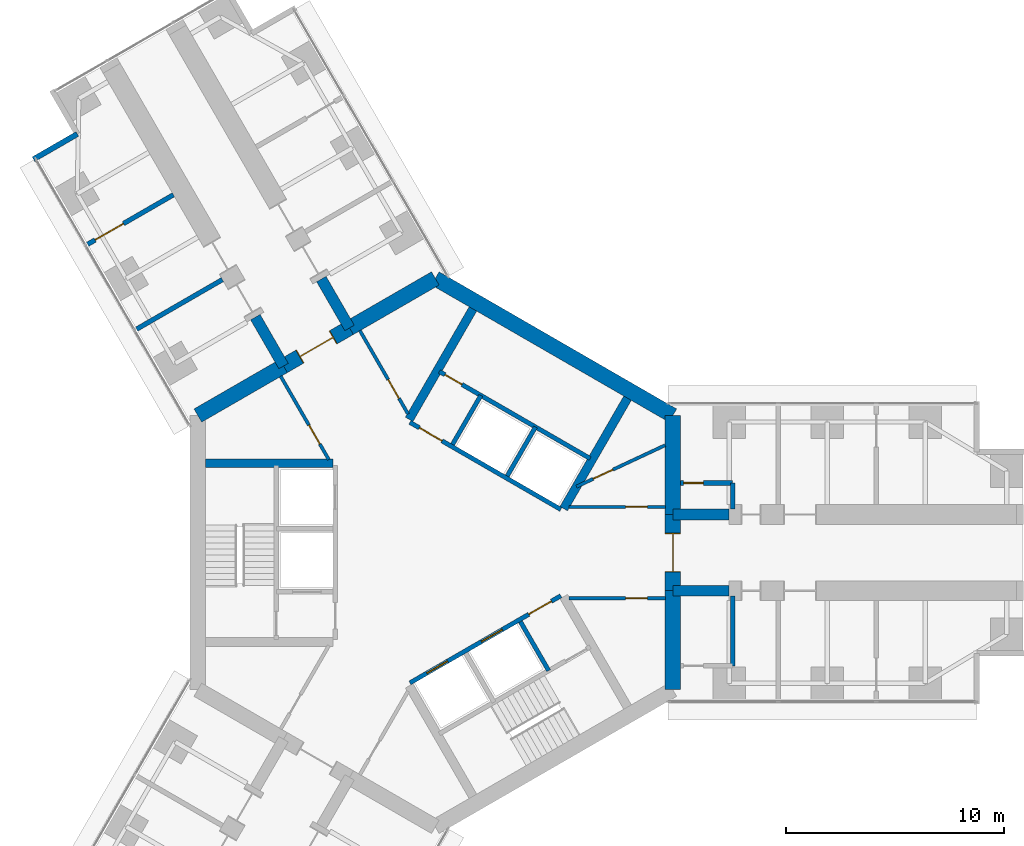
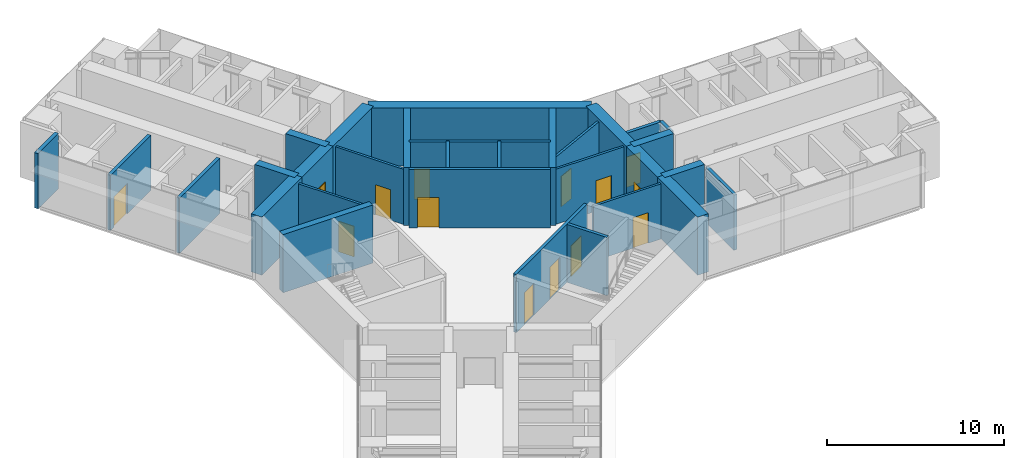
# One storey, part 17 of 22: 31 walls, 14 doors, 14 openings.
"""IFC4 building model written with IfcOpenShell, lengths in metres."""

from ifc_helpers import new_model, si_unit, direction, frame, frame_2d, origin, place, context, subcontext, project, spatial, rectangle, extrude, material, layer, layer_set, type_object, element, fill, save


model = new_model("IFC4")

# Units and contexts
model_context = context("Model", 3, precision=1e-05, world=origin(), true_north=direction((0.0, 1.0)))
body_context = subcontext(model_context, "Body", "Model", "MODEL_VIEW")
ifc_project = project(units=[si_unit("LENGTHUNIT", "METRE"), si_unit("AREAUNIT", "SQUARE_METRE"), si_unit("VOLUMEUNIT", "CUBIC_METRE"), si_unit("PLANEANGLEUNIT", "RADIAN"), si_unit("MASSUNIT", "GRAM", prefix="KILO")], contexts=[model_context])

# Site, building, storey
site_placement = place(None, origin())
site = spatial("IfcSite", under=ifc_project, at=site_placement, CompositionType="ELEMENT")
building_placement = place(site_placement, origin())
building = spatial("IfcBuilding", under=site, at=building_placement, Name="Upepo Twin Towers", CompositionType="ELEMENT")
storey_placement = place(building_placement, frame((0.0, 0.0, 40.5)))
storey = spatial("IfcBuildingStorey", under=building, at=storey_placement, Name="L09", CompositionType="ELEMENT", Elevation=40.5)

# Wall, opening, door
ifc_material_1 = material(Name="Concrete blockwork, plastered both faces", Category="masonry")
ifc_layer_1 = layer(ifc_material_1, 0.215087890625)
ifc_layer_set_1 = layer_set([ifc_layer_1], Name="Blockwork partition 215")
wall_type_1 = type_object("IfcWallType", Name="Blockwork partition 215", PredefinedType="PARTITIONING", material=ifc_layer_set_1)
wall_1_placement = place(storey_placement, frame((11.258056640625, 3.199951171875, 0.0), z_axis=(0.0, 0.0, 1.0), x_axis=(1.0, 0.0, 0.0)))
wall_1 = element("IfcWall", 1, at=wall_1_placement, inside=storey, type_object=wall_type_1, Name="T1 WC bay partition AL at 11.26", PredefinedType="PARTITIONING", context=body_context, shape_type="SweptSolid", body=[
    extrude(rectangle(XDim=2.39990234375, YDim=0.215087890625, at=frame_2d((1.199951171875, 0.0))), origin(), (0.0, 0.0, 1.0), 3.800048828125),
])
opening_1_placement = place(wall_1_placement, frame((0.14990234375, 0.0, 0.0)))
opening_1 = element("IfcOpeningElement", 2, at=opening_1_placement, cuts=wall_1, Name="Opening D14", PredefinedType="OPENING", context=body_context, shape_type="SweptSolid", body=[
    extrude(rectangle(XDim=0.89990234375, YDim=2.10009765625, at=frame_2d((0.449951171875, 1.050048828125))), frame((0.0, 0.117431640625, 0.0), z_axis=(0.0, -1.0, 0.0), x_axis=(1.0, 0.0, 0.0)), (0.0, 0.0, 1.0), 0.235107421875),
])
ifc_material_2 = material(Name="Timber doorset", Category="wood")
door_type_1 = type_object("IfcDoorType", Name="Office door 900 FD30", OperationType="SINGLE_SWING_LEFT", PredefinedType="DOOR", material=ifc_material_2)
door_1_placement = place(opening_1_placement, origin())
door_1 = element("IfcDoor", 3, at=door_1_placement, inside=storey, type_object=door_type_1, Name="T1 L09 WC bay inner room door", OperationType="SINGLE_SWING_LEFT", OverallHeight=2.10009765625, OverallWidth=0.89990234375, PredefinedType="DOOR", context=body_context, shape_type="SweptSolid", body=[
    extrude(rectangle(XDim=0.89990234375, YDim=2.10009765625, at=frame_2d((0.449951171875, 1.050048828125))), frame((0.0, 0.02490234375, 0.0), z_axis=(0.0, -1.0, 0.0), x_axis=(1.0, 0.0, 0.0)), (0.0, 0.0, 1.0), 0.050048828125),
])
fill(opening_1, door_1)

# Walls
wall_2_placement = place(storey_placement, frame((13.657958984375, 2.0, 0.0), z_axis=(0.0, 0.0, 1.0), x_axis=(0.0, 1.0, 0.0)))
element("IfcWall", 4, at=wall_2_placement, inside=storey, type_object=wall_type_1, Name="T1 WC bay partition AL end at 13.66", PredefinedType="PARTITIONING", context=body_context, shape_type="SweptSolid", body=[
    extrude(rectangle(XDim=1.199951171875, YDim=0.215087890625, at=frame_2d((0.60009765625, 0.0))), origin(), (0.0, 0.0, 1.0), 3.800048828125),
])
wall_3_placement = place(storey_placement, frame((13.657958984375, -2.0, 0.0), z_axis=(0.0, 0.0, 1.0), x_axis=(0.0, -1.0, 0.0)))
element("IfcWall", 5, at=wall_3_placement, inside=storey, type_object=wall_type_1, Name="T1 WC bay partition AR end at 13.66", PredefinedType="PARTITIONING", context=body_context, shape_type="SweptSolid", body=[
    extrude(rectangle(XDim=3.199951171875, YDim=0.215087890625, at=frame_2d((1.60009765625, 0.0))), origin(), (0.0, 0.0, 1.0), 3.800048828125),
])
wall_4_placement = place(storey_placement, frame((-9.7802734375, 12.539794921875, 0.0), z_axis=(0.0, 0.0, 1.0), x_axis=(-0.866035472144, -0.499982560684, 0.0)))
element("IfcWall", 6, at=wall_4_placement, inside=storey, type_object=wall_type_1, Name="T1 partition BL at 15.75", PredefinedType="PARTITIONING", context=body_context, shape_type="SweptSolid", body=[
    extrude(rectangle(XDim=4.550048828125, YDim=0.215087890625, at=frame_2d((2.27490234375, 0.0))), origin(), (0.0, 0.0, 1.0), 3.800048828125),
])

# Wall, opening, door
wall_5_placement = place(storey_placement, frame((-12.0302734375, 16.43701171875, 0.0), z_axis=(0.0, 0.0, 1.0), x_axis=(-0.866035472144, -0.499982560684, 0.0)))
wall_5 = element("IfcWall", 7, at=wall_5_placement, inside=storey, type_object=wall_type_1, Name="T1 partition BL at 20.25", PredefinedType="PARTITIONING", context=body_context, shape_type="SweptSolid", body=[
    extrude(rectangle(XDim=4.550048828125, YDim=0.215087890625, at=frame_2d((2.27490234375, 0.0))), origin(), (0.0, 0.0, 1.0), 3.800048828125),
])
opening_2_placement = place(wall_5_placement, frame((2.64990234375, 0.0, 0.0)))
opening_2 = element("IfcOpeningElement", 8, at=opening_2_placement, cuts=wall_5, Name="Opening D13", PredefinedType="OPENING", context=body_context, shape_type="SweptSolid", body=[
    extrude(rectangle(XDim=1.5, YDim=2.10009765625, at=frame_2d((0.75, 1.050048828125))), frame((0.0, 0.117431640625, 0.0), z_axis=(0.0, -1.0, 0.0), x_axis=(1.0, 0.0, 0.0)), (0.0, 0.0, 1.0), 0.235107421875),
])
ifc_material_3 = material(Name="Timber doorset", Category="wood")
door_type_2 = type_object("IfcDoorType", Name="Double door 1500 FD30", OperationType="DOUBLE_DOOR_SINGLE_SWING", PredefinedType="DOOR", material=ifc_material_3)
door_2_placement = place(opening_2_placement, origin())
door_2 = element("IfcDoor", 9, at=door_2_placement, inside=storey, type_object=door_type_2, Name="T1 L09 connecting door", OperationType="DOUBLE_DOOR_SINGLE_SWING", OverallHeight=2.10009765625, OverallWidth=1.5, PredefinedType="DOOR", context=body_context, shape_type="SweptSolid", body=[
    extrude(rectangle(XDim=1.5, YDim=2.10009765625, at=frame_2d((0.75, 1.050048828125))), frame((0.0, 0.02490234375, 0.0), z_axis=(0.0, -1.0, 0.0), x_axis=(1.0, 0.0, 0.0)), (0.0, 0.0, 1.0), 0.050048828125),
])
fill(opening_2, door_2)

# Walls
ifc_material_4 = material(Name="Concrete C60/75", Category="concrete")
ifc_layer_2 = layer(ifc_material_4, 0.5)
ifc_layer_set_2 = layer_set([ifc_layer_2], Name="Concrete C60/75")
wall_type_2 = type_object("IfcWallType", Name="Buttress wall 500 RC", PredefinedType="SHEAR", material=ifc_layer_set_2)
for number, where, z_axis, x_axis, name in (
    (10, (10.908447265625, 1.75, 0.0), (0.0, 0.0, 1.0), (1.0, 0.0, 0.0), "T1 wing A buttress wall L"),
    (11, (10.908447265625, -1.75, 0.0), (0.0, 0.0, 1.0), (1.0, 0.0, 0.0), "T1 wing A buttress wall R"),
):
    element("IfcWall", number, at=place(storey_placement, frame(where, z_axis=z_axis, x_axis=x_axis)), inside=storey, type_object=wall_type_2, Name=name, PredefinedType="SHEAR", context=body_context, shape_type="SweptSolid", body=[
        extrude(rectangle(XDim=2.591552734375, YDim=0.5, at=frame_2d((1.2958984375, 0.0))), origin(), (0.0, 0.0, 1.0), 4.0),
    ])
for number, where, z_axis, x_axis, name in (
    (12, (-6.9697265625, 8.57177734375, 0.0), (0.0, 0.0, 1.0), (-0.499988811324, 0.866031863473, 0.0), "T1 wing B buttress wall L"),
    (13, (-3.938720703125, 10.32177734375, 0.0), (0.0, 0.0, 1.0), (-0.499918158782, 0.866072649678, 0.0), "T1 wing B buttress wall R"),
):
    element("IfcWall", number, at=place(storey_placement, frame(where, z_axis=z_axis, x_axis=x_axis)), inside=storey, type_object=wall_type_2, Name=name, PredefinedType="SHEAR", context=body_context, shape_type="SweptSolid", body=[
        extrude(rectangle(XDim=2.591796875, YDim=0.5, at=frame_2d((1.2958984375, 0.0))), origin(), (0.0, 0.0, 1.0), 4.0),
    ])
ifc_material_5 = material(Name="Concrete C60/75", Category="concrete")
ifc_layer_3 = layer(ifc_material_5, 0.699951171875)
ifc_layer_set_3 = layer_set([ifc_layer_3], Name="Concrete C60/75")
wall_type_3 = type_object("IfcWallType", Name="Core wall 700 RC", PredefinedType="SHEAR", material=ifc_layer_set_3)
wall_6_placement = place(storey_placement, frame((10.908447265625, -6.2978515625, 0.0), z_axis=(0.0, 0.0, 1.0), x_axis=(0.0, 1.0, 0.0)))
element("IfcWall", 14, at=wall_6_placement, inside=storey, type_object=wall_type_3, Name="T1 core wall 000 R", PredefinedType="SHEAR", context=body_context, shape_type="SweptSolid", body=[
    extrude(rectangle(XDim=4.5478515625, YDim=0.699951171875, at=frame_2d((2.27392578125, 0.0))), origin(), (0.0, 0.0, 1.0), 4.0),
])

# Wall, opening, door
wall_7_placement = place(storey_placement, frame((10.908447265625, -1.75, 0.0), z_axis=(0.0, 0.0, 1.0), x_axis=(0.0, 1.0, 0.0)))
wall_7 = element("IfcWall", 15, at=wall_7_placement, inside=storey, type_object=wall_type_3, Name="T1 core wall 000", PredefinedType="SHEAR", context=body_context, shape_type="SweptSolid", body=[
    extrude(rectangle(XDim=3.5, YDim=0.699951171875, at=frame_2d((1.75, 0.0))), origin(), (0.0, 0.0, 1.0), 4.0),
])
opening_3_placement = place(wall_7_placement, frame((0.85009765625, 0.0, 0.0)))
opening_3 = element("IfcOpeningElement", 16, at=opening_3_placement, cuts=wall_7, Name="Opening D2", PredefinedType="OPENING", context=body_context, shape_type="SweptSolid", body=[
    extrude(rectangle(XDim=1.800048828125, YDim=2.10009765625, at=frame_2d((0.89990234375, 1.050048828125))), frame((0.0, 0.35986328125, 0.0), z_axis=(0.0, -1.0, 0.0), x_axis=(1.0, 0.0, 0.0)), (0.0, 0.0, 1.0), 0.719970703125),
])
ifc_material_6 = material(Name="Timber doorset", Category="wood")
door_type_3 = type_object("IfcDoorType", Name="Corridor double door 1800 FD60", OperationType="DOUBLE_DOOR_DOUBLE_SWING", PredefinedType="DOOR", material=ifc_material_6)
door_3_placement = place(opening_3_placement, origin())
door_3 = element("IfcDoor", 17, at=door_3_placement, inside=storey, type_object=door_type_3, Name="T1 L09 wing A corridor door", OperationType="DOUBLE_DOOR_DOUBLE_SWING", OverallHeight=2.10009765625, OverallWidth=1.800048828125, PredefinedType="DOOR", context=body_context, shape_type="SweptSolid", body=[
    extrude(rectangle(XDim=1.720048828125, YDim=2.06009765625, at=frame_2d((0.89990234375, 1.030029296875))), frame((0.0, 0.02490234375, 0.0), z_axis=(0.0, -1.0, 0.0), x_axis=(1.0, 0.0, 0.0)), (0.0, 0.0, 1.0), 0.050048828125),
    extrude(rectangle(XDim=0.04, YDim=2.10009765625, at=frame_2d((0.02001953125, 1.050048828125))), frame((0.0, 0.349609375, 0.0), z_axis=(0.0, -1.0, 0.0), x_axis=(1.0, 0.0, 0.0)), (0.0, 0.0, 1.0), 0.699462890625),
    extrude(rectangle(XDim=0.04, YDim=2.10009765625, at=frame_2d((1.780029296875, 1.050048828125))), frame((0.0, 0.349609375, 0.0), z_axis=(0.0, -1.0, 0.0), x_axis=(1.0, 0.0, 0.0)), (0.0, 0.0, 1.0), 0.699462890625),
    extrude(rectangle(XDim=1.720048828125, YDim=0.04, at=frame_2d((0.89990234375, 2.080078125))), frame((0.0, 0.349609375, 0.0), z_axis=(0.0, -1.0, 0.0), x_axis=(1.0, 0.0, 0.0)), (0.0, 0.0, 1.0), 0.699462890625),
])
fill(opening_3, door_3)

# Walls
wall_8_placement = place(storey_placement, frame((10.908447265625, 1.75, 0.0), z_axis=(0.0, 0.0, 1.0), x_axis=(0.0, 1.0, 0.0)))
element("IfcWall", 18, at=wall_8_placement, inside=storey, type_object=wall_type_3, Name="T1 core wall 000 L", PredefinedType="SHEAR", context=body_context, shape_type="SweptSolid", body=[
    extrude(rectangle(XDim=4.5478515625, YDim=0.699951171875, at=frame_2d((2.27392578125, 0.0))), origin(), (0.0, 0.0, 1.0), 4.0),
])
wall_9_placement = place(storey_placement, frame((10.908447265625, 6.2978515625, 0.0), z_axis=(0.0, 0.0, 1.0), x_axis=(-0.866021940709, 0.500005998175, 0.0)))
element("IfcWall", 19, at=wall_9_placement, inside=storey, type_object=wall_type_3, Name="T1 core wall 060", PredefinedType="SHEAR", context=body_context, shape_type="SweptSolid", body=[
    extrude(rectangle(XDim=12.595947265625, YDim=0.699951171875, at=frame_2d((6.2978515625, 0.0))), origin(), (0.0, 0.0, 1.0), 4.0),
])
wall_10_placement = place(storey_placement, frame((0.0, 12.595947265625, 0.0), z_axis=(0.0, 0.0, 1.0), x_axis=(-0.866011268655, -0.500024481964, 0.0)))
element("IfcWall", 20, at=wall_10_placement, inside=storey, type_object=wall_type_3, Name="T1 core wall 120 R", PredefinedType="SHEAR", context=body_context, shape_type="SweptSolid", body=[
    extrude(rectangle(XDim=4.548095703125, YDim=0.699951171875, at=frame_2d((2.27392578125, 0.0))), origin(), (0.0, 0.0, 1.0), 4.0),
])

# Wall, opening, door
wall_11_placement = place(storey_placement, frame((-3.938720703125, 10.32177734375, 0.0), z_axis=(0.0, 0.0, 1.0), x_axis=(-0.866019471182, -0.500010275428, 0.0)))
wall_11 = element("IfcWall", 21, at=wall_11_placement, inside=storey, type_object=wall_type_3, Name="T1 core wall 120", PredefinedType="SHEAR", context=body_context, shape_type="SweptSolid", body=[
    extrude(rectangle(XDim=3.5, YDim=0.699951171875, at=frame_2d((1.75, 0.0))), origin(), (0.0, 0.0, 1.0), 4.0),
])
opening_4_placement = place(wall_11_placement, frame((0.85009765625, 0.0, 0.0)))
opening_4 = element("IfcOpeningElement", 22, at=opening_4_placement, cuts=wall_11, Name="Opening D2", PredefinedType="OPENING", context=body_context, shape_type="SweptSolid", body=[
    extrude(rectangle(XDim=1.800048828125, YDim=2.10009765625, at=frame_2d((0.89990234375, 1.050048828125))), frame((0.0, 0.35986328125, 0.0), z_axis=(0.0, -1.0, 0.0), x_axis=(1.0, 0.0, 0.0)), (0.0, 0.0, 1.0), 0.719970703125),
])
door_4_placement = place(opening_4_placement, origin())
door_4 = element("IfcDoor", 23, at=door_4_placement, inside=storey, type_object=door_type_3, Name="T1 L09 wing B corridor door", OperationType="DOUBLE_DOOR_DOUBLE_SWING", OverallHeight=2.10009765625, OverallWidth=1.800048828125, PredefinedType="DOOR", context=body_context, shape_type="SweptSolid", body=[
    extrude(rectangle(XDim=1.720048828125, YDim=2.06009765625, at=frame_2d((0.89990234375, 1.030029296875))), frame((0.0, 0.02490234375, 0.0), z_axis=(0.0, -1.0, 0.0), x_axis=(1.0, 0.0, 0.0)), (0.0, 0.0, 1.0), 0.050048828125),
    extrude(rectangle(XDim=0.04, YDim=2.10009765625, at=frame_2d((0.02001953125, 1.050048828125))), frame((0.0, 0.349609375, 0.0), z_axis=(0.0, -1.0, 0.0), x_axis=(1.0, 0.0, 0.0)), (0.0, 0.0, 1.0), 0.699462890625),
    extrude(rectangle(XDim=0.04, YDim=2.10009765625, at=frame_2d((1.780029296875, 1.050048828125))), frame((0.0, 0.349609375, 0.0), z_axis=(0.0, -1.0, 0.0), x_axis=(1.0, 0.0, 0.0)), (0.0, 0.0, 1.0), 0.699462890625),
    extrude(rectangle(XDim=1.720048828125, YDim=0.04, at=frame_2d((0.89990234375, 2.080078125))), frame((0.0, 0.349609375, 0.0), z_axis=(0.0, -1.0, 0.0), x_axis=(1.0, 0.0, 0.0)), (0.0, 0.0, 1.0), 0.699462890625),
])
fill(opening_4, door_4)

# Walls
wall_12_placement = place(storey_placement, frame((-6.9697265625, 8.57177734375, 0.0), z_axis=(0.0, 0.0, 1.0), x_axis=(-0.866034513004, -0.499984222037, 0.0)))
element("IfcWall", 24, at=wall_12_placement, inside=storey, type_object=wall_type_3, Name="T1 core wall 120 L", PredefinedType="SHEAR", context=body_context, shape_type="SweptSolid", body=[
    extrude(rectangle(XDim=4.548095703125, YDim=0.699951171875, at=frame_2d((2.27392578125, 0.0))), origin(), (0.0, 0.0, 1.0), 4.0),
])
ifc_material_7 = material(Name="Blockwork with anodised aluminium cladding", Category="masonry")
ifc_layer_4 = layer(ifc_material_7, 0.25)
ifc_layer_set_4 = layer_set([ifc_layer_4], Name="Notch cladding wall 250, pale metal")
wall_type_4 = type_object("IfcWallType", Name="Notch cladding wall 250, pale metal", PredefinedType="STANDARD", material=ifc_layer_set_4)
wall_13_placement = place(storey_placement, frame((-18.456298828125, 18.0673828125, 0.0), z_axis=(0.0, 0.0, 1.0), x_axis=(0.865998469481, 0.500046648681, 0.0)))
element("IfcWall", 25, at=wall_13_placement, inside=storey, type_object=wall_type_4, Name="T1 L09 wing B notch wall L1", PredefinedType="STANDARD", context=body_context, shape_type="SweptSolid", body=[
    extrude(rectangle(XDim=2.324951171875, YDim=0.25, at=frame_2d((1.16259765625, 0.0))), origin(), (0.0, 0.0, 1.0), 3.800048828125),
])

# Wall, opening, door
ifc_material_8 = material(Name="Concrete C40/50", Category="concrete")
ifc_layer_5 = layer(ifc_material_8, 0.199951171875)
ifc_layer_set_5 = layer_set([ifc_layer_5], Name="Concrete C40/50")
wall_type_5 = type_object("IfcWallType", Name="Shaft wall 200 RC", PredefinedType="SHEAR", material=ifc_layer_set_5)
wall_14_placement = place(storey_placement, frame((5.76416015625, 1.983642578125, 0.0), z_axis=(0.0, 0.0, 1.0), x_axis=(-0.866026010844, 0.49999894854, 0.0)))
wall_14 = element("IfcWall", 26, at=wall_14_placement, inside=storey, type_object=wall_type_5, Name="T1 core W60 front wall", PredefinedType="SHEAR", context=body_context, shape_type="SweptSolid", body=[
    extrude(rectangle(XDim=8.0, YDim=0.199951171875, at=frame_2d((4.0, 0.0))), origin(), (0.0, 0.0, 1.0), 4.0),
])
opening_5_placement = place(wall_14_placement, frame((6.300048828125, 0.0, 0.0)))
opening_5 = element("IfcOpeningElement", 27, at=opening_5_placement, cuts=wall_14, Name="Opening D4", PredefinedType="OPENING", context=body_context, shape_type="SweptSolid", body=[
    extrude(rectangle(XDim=1.199951171875, YDim=2.10009765625, at=frame_2d((0.60009765625, 1.050048828125))), frame((0.0, 0.10986328125, 0.0), z_axis=(0.0, -1.0, 0.0), x_axis=(1.0, 0.0, 0.0)), (0.0, 0.0, 1.0), 0.219970703125),
])
ifc_material_9 = material(Name="Timber doorset", Category="wood")
door_type_4 = type_object("IfcDoorType", Name="Lobby door 1200 FD60", OperationType="SINGLE_SWING_LEFT", PredefinedType="DOOR", material=ifc_material_9)
door_5_placement = place(opening_5_placement, origin())
door_5 = element("IfcDoor", 28, at=door_5_placement, inside=storey, type_object=door_type_4, Name="T1 L09 W60 lobby door", OperationType="SINGLE_SWING_RIGHT", OverallHeight=2.10009765625, OverallWidth=1.199951171875, PredefinedType="DOOR", context=body_context, shape_type="SweptSolid", body=[
    extrude(rectangle(XDim=1.199951171875, YDim=2.10009765625, at=frame_2d((0.60009765625, 1.050048828125))), frame((0.0, 0.02490234375, 0.0), z_axis=(0.0, -1.0, 0.0), x_axis=(1.0, 0.0, 0.0)), (0.0, 0.0, 1.0), 0.050048828125),
])
fill(opening_5, door_5)

# Walls
for number, where, z_axis, x_axis, name in (
    (29, (3.302734375, 3.520263671875, 0.0), (0.0, 0.0, 1.0), (0.499936506574, 0.866062058628, 0.0), "T1 core W60 shaft divider"),
    (30, (0.791259765625, 4.97021484375, 0.0), (0.0, 0.0, 1.0), (0.499936506574, 0.866062058628, 0.0), "T1 core W60 lobby wall"),
):
    element("IfcWall", number, at=place(storey_placement, frame(where, z_axis=z_axis, x_axis=x_axis)), inside=storey, type_object=wall_type_5, Name=name, PredefinedType="SHEAR", context=body_context, shape_type="SweptSolid", body=[
        extrude(rectangle(XDim=2.599853515625, YDim=0.199951171875, at=frame_2d((1.2998046875, 0.0))), origin(), (0.0, 0.0, 1.0), 4.0),
    ])

# Wall, opening, door
wall_15_placement = place(storey_placement, frame((7.114013671875, 4.322021484375, 0.0), z_axis=(0.0, 0.0, 1.0), x_axis=(-0.866026010844, 0.49999894854, 0.0)))
wall_15 = element("IfcWall", 31, at=wall_15_placement, inside=storey, type_object=wall_type_5, Name="T1 core W60 stair wall", PredefinedType="SHEAR", context=body_context, shape_type="SweptSolid", body=[
    extrude(rectangle(XDim=8.0, YDim=0.199951171875, at=frame_2d((4.0, 0.0))), origin(), (0.0, 0.0, 1.0), 4.0),
])
opening_6_placement = place(wall_15_placement, frame((6.800048828125, 0.0, 0.0)))
opening_6 = element("IfcOpeningElement", 32, at=opening_6_placement, cuts=wall_15, Name="Opening D9", PredefinedType="OPENING", context=body_context, shape_type="SweptSolid", body=[
    extrude(rectangle(XDim=0.89990234375, YDim=2.10009765625, at=frame_2d((0.449951171875, 1.050048828125))), frame((0.0, 0.10986328125, 0.0), z_axis=(0.0, -1.0, 0.0), x_axis=(1.0, 0.0, 0.0)), (0.0, 0.0, 1.0), 0.219970703125),
])
ifc_material_10 = material(Name="Timber doorset", Category="wood")
door_type_5 = type_object("IfcDoorType", Name="Riser door 900 FD60", OperationType="SINGLE_SWING_LEFT", PredefinedType="DOOR", material=ifc_material_10)
door_6_placement = place(opening_6_placement, origin())
door_6 = element("IfcDoor", 33, at=door_6_placement, inside=storey, type_object=door_type_5, Name="T1 L09 riser door", OperationType="SINGLE_SWING_RIGHT", OverallHeight=2.10009765625, OverallWidth=0.89990234375, PredefinedType="DOOR", context=body_context, shape_type="SweptSolid", body=[
    extrude(rectangle(XDim=0.89990234375, YDim=2.10009765625, at=frame_2d((0.449951171875, 1.050048828125))), frame((0.0, 0.02490234375, 0.0), z_axis=(0.0, -1.0, 0.0), x_axis=(1.0, 0.0, 0.0)), (0.0, 0.0, 1.0), 0.050048828125),
])
fill(opening_6, door_6)

# Wall, openings, doors
wall_16_placement = place(storey_placement, frame((-1.1640625, -5.983642578125, 0.0), z_axis=(0.0, 0.0, 1.0), x_axis=(0.866026010844, 0.49999894854, 0.0)))
wall_16 = element("IfcWall", 34, at=wall_16_placement, inside=storey, type_object=wall_type_5, Name="T1 core W300 front wall", PredefinedType="SHEAR", context=body_context, shape_type="SweptSolid", body=[
    extrude(rectangle(XDim=8.0, YDim=0.199951171875, at=frame_2d((4.0, 0.0))), origin(), (0.0, 0.0, 1.0), 4.0),
])
opening_7_placement = place(wall_16_placement, frame((6.300048828125, 0.0, 0.0)))
opening_7 = element("IfcOpeningElement", 35, at=opening_7_placement, cuts=wall_16, Name="Opening D4", PredefinedType="OPENING", context=body_context, shape_type="SweptSolid", body=[
    extrude(rectangle(XDim=1.199951171875, YDim=2.10009765625, at=frame_2d((0.60009765625, 1.050048828125))), frame((0.0, 0.10986328125, 0.0), z_axis=(0.0, -1.0, 0.0), x_axis=(1.0, 0.0, 0.0)), (0.0, 0.0, 1.0), 0.219970703125),
])
opening_8_placement = place(wall_16_placement, frame((0.89990234375, 0.0, 0.0)))
opening_8 = element("IfcOpeningElement", 36, at=opening_8_placement, cuts=wall_16, Name="Opening LD1", PredefinedType="OPENING", context=body_context, shape_type="SweptSolid", body=[
    extrude(rectangle(XDim=1.10009765625, YDim=2.199951171875, at=frame_2d((0.550048828125, 1.10009765625))), frame((0.0, 0.10986328125, 0.0), z_axis=(0.0, -1.0, 0.0), x_axis=(1.0, 0.0, 0.0)), (0.0, 0.0, 1.0), 0.219970703125),
])
opening_9_placement = place(wall_16_placement, frame((3.800048828125, 0.0, 0.0)))
opening_9 = element("IfcOpeningElement", 37, at=opening_9_placement, cuts=wall_16, Name="Opening LD1", PredefinedType="OPENING", context=body_context, shape_type="SweptSolid", body=[
    extrude(rectangle(XDim=1.10009765625, YDim=2.199951171875, at=frame_2d((0.550048828125, 1.10009765625))), frame((0.0, 0.10986328125, 0.0), z_axis=(0.0, -1.0, 0.0), x_axis=(1.0, 0.0, 0.0)), (0.0, 0.0, 1.0), 0.219970703125),
])
ifc_material_11 = material(Name="Steel doorset", Category="steel")
door_type_6 = type_object("IfcDoorType", Name="Lift landing door 1100", OperationType="DOUBLE_DOOR_SLIDING", PredefinedType="DOOR", material=ifc_material_11)
door_7_placement = place(opening_8_placement, origin())
door_7 = element("IfcDoor", 38, at=door_7_placement, inside=storey, type_object=door_type_6, Name="T1 L09 lift LL1 landing door", OperationType="DOUBLE_DOOR_SLIDING", OverallHeight=2.199951171875, OverallWidth=1.10009765625, PredefinedType="DOOR", context=body_context, shape_type="SweptSolid", body=[
    extrude(rectangle(XDim=1.10009765625, YDim=2.199951171875, at=frame_2d((0.550048828125, 1.10009765625))), frame((0.0, 0.02490234375, 0.0), z_axis=(0.0, -1.0, 0.0), x_axis=(1.0, 0.0, 0.0)), (0.0, 0.0, 1.0), 0.050048828125),
])
fill(opening_8, door_7)
door_8_placement = place(opening_9_placement, origin())
door_8 = element("IfcDoor", 39, at=door_8_placement, inside=storey, type_object=door_type_6, Name="T1 L09 lift LL2 landing door", OperationType="DOUBLE_DOOR_SLIDING", OverallHeight=2.199951171875, OverallWidth=1.10009765625, PredefinedType="DOOR", context=body_context, shape_type="SweptSolid", body=[
    extrude(rectangle(XDim=1.10009765625, YDim=2.199951171875, at=frame_2d((0.550048828125, 1.10009765625))), frame((0.0, 0.02490234375, 0.0), z_axis=(0.0, -1.0, 0.0), x_axis=(1.0, 0.0, 0.0)), (0.0, 0.0, 1.0), 0.050048828125),
])
fill(opening_9, door_8)
door_9_placement = place(opening_7_placement, origin())
door_9 = element("IfcDoor", 40, at=door_9_placement, inside=storey, type_object=door_type_4, Name="T1 L09 W300 lobby door", OperationType="SINGLE_SWING_RIGHT", OverallHeight=2.10009765625, OverallWidth=1.199951171875, PredefinedType="DOOR", context=body_context, shape_type="SweptSolid", body=[
    extrude(rectangle(XDim=1.199951171875, YDim=2.10009765625, at=frame_2d((0.60009765625, 1.050048828125))), frame((0.0, 0.02490234375, 0.0), z_axis=(0.0, -1.0, 0.0), x_axis=(1.0, 0.0, 0.0)), (0.0, 0.0, 1.0), 0.050048828125),
])
fill(opening_7, door_9)

# Walls
wall_17_placement = place(storey_placement, frame((3.908935546875, -3.17041015625, 0.0), z_axis=(0.0, 0.0, 1.0), x_axis=(0.49997716683, -0.86603858612, 0.0)))
element("IfcWall", 41, at=wall_17_placement, inside=storey, type_object=wall_type_5, Name="T1 core W300 lobby wall", PredefinedType="SHEAR", context=body_context, shape_type="SweptSolid", body=[
    extrude(rectangle(XDim=2.599609375, YDim=0.199951171875, at=frame_2d((1.2998046875, 0.0))), origin(), (0.0, 0.0, 1.0), 4.0),
])
ifc_material_12 = material(Name="Concrete C40/50", Category="concrete")
ifc_layer_6 = layer(ifc_material_12, 0.39990234375)
ifc_layer_set_6 = layer_set([ifc_layer_6], Name="Concrete C40/50")
wall_type_6 = type_object("IfcWallType", Name="Shaft wall 400 RC", PredefinedType="SHEAR", material=ifc_layer_set_6)
for number, where, z_axis, x_axis, name in (
    (42, (-1.20068359375, 6.120361328125, 0.0), (0.0, 0.0, 1.0), (0.500002627198, 0.866023886965, 0.0), "T1 core W60 side wall N"),
    (43, (5.900634765625, 2.020263671875, 0.0), (0.0, 0.0, 1.0), (0.500002627198, 0.866023886965, 0.0), "T1 core W60 side wall S"),
    (44, (-4.699951171875, 4.10009765625, 0.0), (0.0, 0.0, 1.0), (-1.0, 0.0, 0.0), "T1 core W180 side wall S"),
):
    element("IfcWall", number, at=place(storey_placement, frame(where, z_axis=z_axis, x_axis=x_axis)), inside=storey, type_object=wall_type_6, Name=name, PredefinedType="SHEAR", context=body_context, shape_type="SweptSolid", body=[
        extrude(rectangle(XDim=5.8583984375, YDim=0.39990234375, at=frame_2d((2.92919921875, 0.0))), origin(), (0.0, 0.0, 1.0), 4.0),
    ])

# Wall, opening, door
ifc_material_13 = material(Name="Gypsum board on steel studs", Category="steel")
ifc_layer_7 = layer(ifc_material_13, 0.14990234375)
ifc_layer_set_7 = layer_set([ifc_layer_7], Name="Teaching partition 150 acoustic")
wall_type_7 = type_object("IfcWallType", Name="Teaching partition 150 acoustic", PredefinedType="PARTITIONING", material=ifc_layer_set_7)
wall_18_placement = place(storey_placement, frame((-4.889892578125, 4.269775390625, 0.0), z_axis=(0.0, 0.0, 1.0), x_axis=(-0.500007369519, 0.866021148949, 0.0)))
wall_18 = element("IfcWall", 45, at=wall_18_placement, inside=storey, type_object=wall_type_7, Name="T1 core room partition 3", PredefinedType="PARTITIONING", context=body_context, shape_type="SweptSolid", body=[
    extrude(rectangle(XDim=4.42578125, YDim=0.14990234375, at=frame_2d((2.212890625, 0.0))), origin(), (0.0, 0.0, 1.0), 3.800048828125),
])
opening_10_placement = place(wall_18_placement, frame((0.82763671875, 0.0, 0.0)))
opening_10 = element("IfcOpeningElement", 46, at=opening_10_placement, cuts=wall_18, Name="Opening D1", PredefinedType="OPENING", context=body_context, shape_type="SweptSolid", body=[
    extrude(rectangle(XDim=1.0, YDim=2.10009765625, at=frame_2d((0.5, 1.050048828125))), frame((0.0, 0.0849609375, 0.0), z_axis=(0.0, -1.0, 0.0), x_axis=(1.0, 0.0, 0.0)), (0.0, 0.0, 1.0), 0.169921875),
])
ifc_material_14 = material(Name="Timber doorset", Category="wood")
door_type_7 = type_object("IfcDoorType", Name="Room door 1000 FD30", OperationType="SINGLE_SWING_LEFT", PredefinedType="DOOR", material=ifc_material_14)
door_10_placement = place(opening_10_placement, origin())
door_10 = element("IfcDoor", 47, at=door_10_placement, inside=storey, type_object=door_type_7, Name="T1 L09 core room door K7", OperationType="SINGLE_SWING_LEFT", OverallHeight=2.10009765625, OverallWidth=1.0, PredefinedType="DOOR", context=body_context, shape_type="SweptSolid", body=[
    extrude(rectangle(XDim=1.0, YDim=2.10009765625, at=frame_2d((0.5, 1.050048828125))), frame((0.0, 0.02490234375, 0.0), z_axis=(0.0, -1.0, 0.0), x_axis=(1.0, 0.0, 0.0)), (0.0, 0.0, 1.0), 0.050048828125),
])
fill(opening_10, door_10)

wall_19_placement = place(storey_placement, frame((-3.465576171875, 10.202392578125, 0.0), z_axis=(0.0, 0.0, 1.0), x_axis=(0.500007369519, -0.866021148949, 0.0)))
wall_19 = element("IfcWall", 48, at=wall_19_placement, inside=storey, type_object=wall_type_7, Name="T1 core room partition 4", PredefinedType="PARTITIONING", context=body_context, shape_type="SweptSolid", body=[
    extrude(rectangle(XDim=4.42578125, YDim=0.14990234375, at=frame_2d((2.212890625, 0.0))), origin(), (0.0, 0.0, 1.0), 3.800048828125),
])
opening_11_placement = place(wall_19_placement, frame((2.597900390625, 0.0, 0.0)))
opening_11 = element("IfcOpeningElement", 49, at=opening_11_placement, cuts=wall_19, Name="Opening D1", PredefinedType="OPENING", context=body_context, shape_type="SweptSolid", body=[
    extrude(rectangle(XDim=1.0, YDim=2.10009765625, at=frame_2d((0.5, 1.050048828125))), frame((0.0, 0.0849609375, 0.0), z_axis=(0.0, -1.0, 0.0), x_axis=(1.0, 0.0, 0.0)), (0.0, 0.0, 1.0), 0.169921875),
])
door_11_placement = place(opening_11_placement, origin())
door_11 = element("IfcDoor", 50, at=door_11_placement, inside=storey, type_object=door_type_7, Name="T1 L09 core room door K6", OperationType="SINGLE_SWING_RIGHT", OverallHeight=2.10009765625, OverallWidth=1.0, PredefinedType="DOOR", context=body_context, shape_type="SweptSolid", body=[
    extrude(rectangle(XDim=1.0, YDim=2.10009765625, at=frame_2d((0.5, 1.050048828125))), frame((0.0, 0.02490234375, 0.0), z_axis=(0.0, -1.0, 0.0), x_axis=(1.0, 0.0, 0.0)), (0.0, 0.0, 1.0), 0.050048828125),
])
fill(opening_11, door_11)

wall_20_placement = place(storey_placement, frame((6.142578125, 2.10009765625, 0.0), z_axis=(0.0, 0.0, 1.0), x_axis=(1.0, 0.0, 0.0)))
wall_20 = element("IfcWall", 51, at=wall_20_placement, inside=storey, type_object=wall_type_7, Name="T1 core room partition 5", PredefinedType="PARTITIONING", context=body_context, shape_type="SweptSolid", body=[
    extrude(rectangle(XDim=4.42578125, YDim=0.14990234375, at=frame_2d((2.212890625, 0.0))), origin(), (0.0, 0.0, 1.0), 3.800048828125),
])
opening_12_placement = place(wall_20_placement, frame((2.597900390625, 0.0, 0.0)))
opening_12 = element("IfcOpeningElement", 52, at=opening_12_placement, cuts=wall_20, Name="Opening D1", PredefinedType="OPENING", context=body_context, shape_type="SweptSolid", body=[
    extrude(rectangle(XDim=1.0, YDim=2.10009765625, at=frame_2d((0.5, 1.050048828125))), frame((0.0, 0.0849609375, 0.0), z_axis=(0.0, -1.0, 0.0), x_axis=(1.0, 0.0, 0.0)), (0.0, 0.0, 1.0), 0.169921875),
])
door_12_placement = place(opening_12_placement, origin())
door_12 = element("IfcDoor", 53, at=door_12_placement, inside=storey, type_object=door_type_7, Name="T1 L09 core room door K4", OperationType="SINGLE_SWING_RIGHT", OverallHeight=2.10009765625, OverallWidth=1.0, PredefinedType="DOOR", context=body_context, shape_type="SweptSolid", body=[
    extrude(rectangle(XDim=1.0, YDim=2.10009765625, at=frame_2d((0.5, 1.050048828125))), frame((0.0, 0.02490234375, 0.0), z_axis=(0.0, -1.0, 0.0), x_axis=(1.0, 0.0, 0.0)), (0.0, 0.0, 1.0), 0.050048828125),
])
fill(opening_12, door_12)

wall_21_placement = place(storey_placement, frame((10.568359375, -2.10009765625, 0.0), z_axis=(0.0, 0.0, 1.0), x_axis=(-1.0, 0.0, 0.0)))
wall_21 = element("IfcWall", 54, at=wall_21_placement, inside=storey, type_object=wall_type_7, Name="T1 core room partition 6", PredefinedType="PARTITIONING", context=body_context, shape_type="SweptSolid", body=[
    extrude(rectangle(XDim=4.42578125, YDim=0.14990234375, at=frame_2d((2.212890625, 0.0))), origin(), (0.0, 0.0, 1.0), 3.800048828125),
])
opening_13_placement = place(wall_21_placement, frame((0.82763671875, 0.0, 0.0)))
opening_13 = element("IfcOpeningElement", 55, at=opening_13_placement, cuts=wall_21, Name="Opening D1", PredefinedType="OPENING", context=body_context, shape_type="SweptSolid", body=[
    extrude(rectangle(XDim=1.0, YDim=2.10009765625, at=frame_2d((0.5, 1.050048828125))), frame((0.0, 0.0849609375, 0.0), z_axis=(0.0, -1.0, 0.0), x_axis=(1.0, 0.0, 0.0)), (0.0, 0.0, 1.0), 0.169921875),
])
door_13_placement = place(opening_13_placement, origin())
door_13 = element("IfcDoor", 56, at=door_13_placement, inside=storey, type_object=door_type_7, Name="T1 L09 core room door K3", OperationType="SINGLE_SWING_LEFT", OverallHeight=2.10009765625, OverallWidth=1.0, PredefinedType="DOOR", context=body_context, shape_type="SweptSolid", body=[
    extrude(rectangle(XDim=1.0, YDim=2.10009765625, at=frame_2d((0.5, 1.050048828125))), frame((0.0, 0.02490234375, 0.0), z_axis=(0.0, -1.0, 0.0), x_axis=(1.0, 0.0, 0.0)), (0.0, 0.0, 1.0), 0.050048828125),
])
fill(opening_13, door_13)

wall_22_placement = place(storey_placement, frame((6.4833984375, 3.029541015625, 0.0), z_axis=(0.0, 0.0, 1.0), x_axis=(0.905977801603, 0.423325197694, 0.0)))
wall_22 = element("IfcWall", 57, at=wall_22_placement, inside=storey, type_object=wall_type_7, Name="T1 core room partition 7", PredefinedType="PARTITIONING", context=body_context, shape_type="SweptSolid", body=[
    extrude(rectangle(XDim=4.497802734375, YDim=0.14990234375, at=frame_2d((2.2490234375, 0.0))), origin(), (0.0, 0.0, 1.0), 3.800048828125),
])
opening_14_placement = place(wall_22_placement, frame((0.849365234375, 0.0, 0.0)))
opening_14 = element("IfcOpeningElement", 58, at=opening_14_placement, cuts=wall_22, Name="Opening D1", PredefinedType="OPENING", context=body_context, shape_type="SweptSolid", body=[
    extrude(rectangle(XDim=1.0, YDim=2.10009765625, at=frame_2d((0.5, 1.050048828125))), frame((0.0, 0.0849609375, 0.0), z_axis=(0.0, -1.0, 0.0), x_axis=(1.0, 0.0, 0.0)), (0.0, 0.0, 1.0), 0.169921875),
])
door_14_placement = place(opening_14_placement, origin())
door_14 = element("IfcDoor", 59, at=door_14_placement, inside=storey, type_object=door_type_7, Name="T1 L09 core room door K5", OperationType="SINGLE_SWING_LEFT", OverallHeight=2.10009765625, OverallWidth=1.0, PredefinedType="DOOR", context=body_context, shape_type="SweptSolid", body=[
    extrude(rectangle(XDim=1.0, YDim=2.10009765625, at=frame_2d((0.5, 1.050048828125))), frame((0.0, 0.02490234375, 0.0), z_axis=(0.0, -1.0, 0.0), x_axis=(1.0, 0.0, 0.0)), (0.0, 0.0, 1.0), 0.050048828125),
])
fill(opening_14, door_14)

save(model, "model.ifc")
